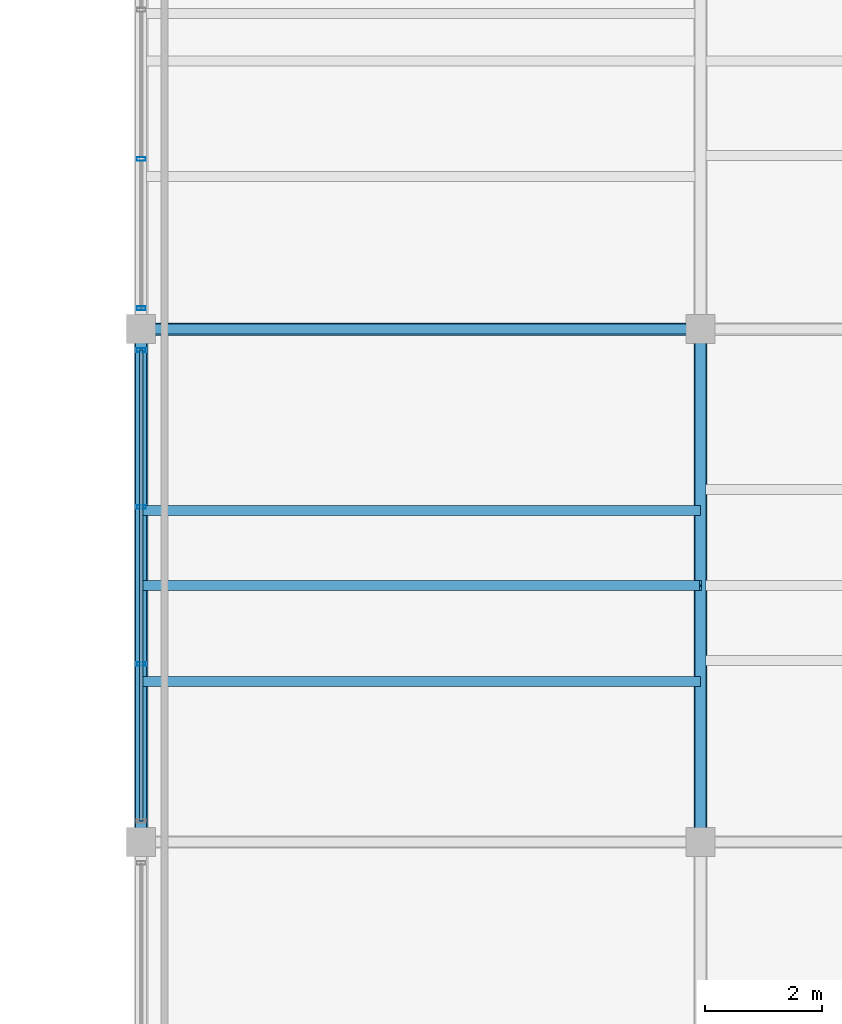
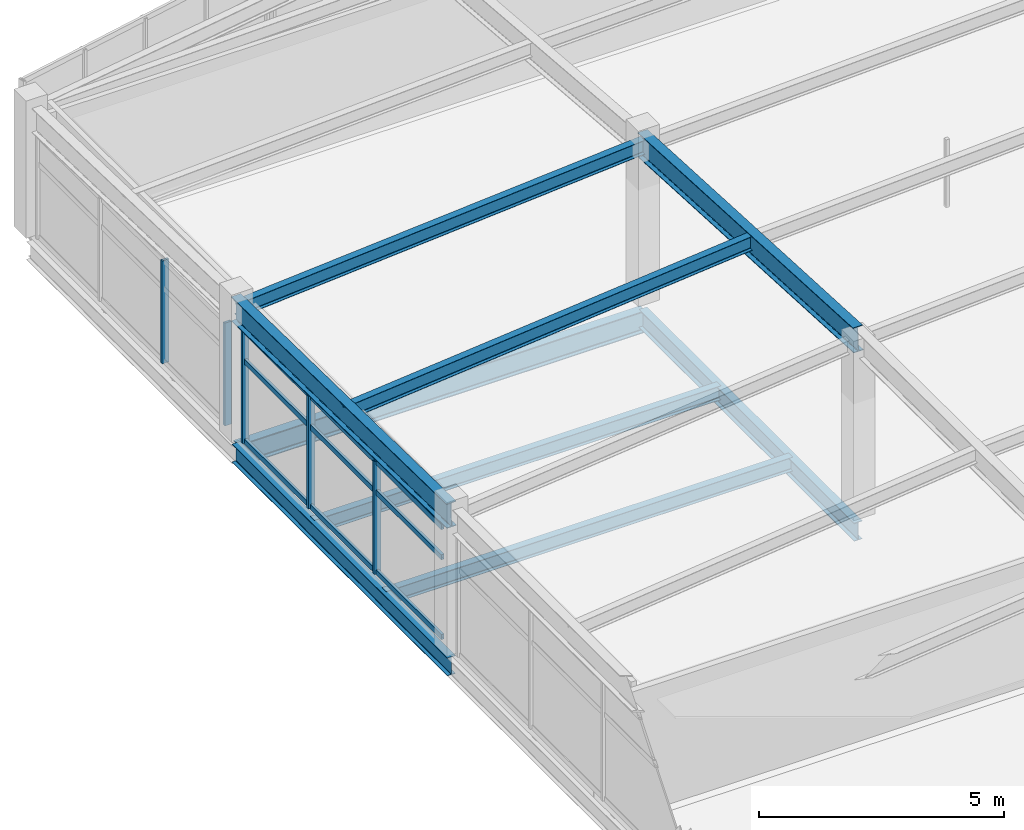
# One storey, part 36 of 65: 10 members, 7 beams, 2 elements without a shape of their own.
"""IFC4 building model written with IfcOpenShell, lengths in metres."""

from ifc_helpers import new_model, si_unit, direction, frame, origin, origin_2d, place, context, subcontext, project, spatial, hollow_rectangle, i_section, extrude, material, layer, layer_set, material_profile, profile_set, type_object, element, aggregate, save


model = new_model("IFC4")

# Units and contexts
model_context = context("Model", 3, precision=1e-05, world=origin(), true_north=direction((0.0, 1.0)))
body_context = subcontext(model_context, "Body", "Model", "MODEL_VIEW")
ifc_project = project(units=[si_unit("LENGTHUNIT", "METRE"), si_unit("AREAUNIT", "SQUARE_METRE"), si_unit("VOLUMEUNIT", "CUBIC_METRE"), si_unit("PLANEANGLEUNIT", "RADIAN"), si_unit("MASSUNIT", "GRAM", prefix="KILO")], contexts=[model_context])

# Site, building, storey
site_placement = place(None, origin())
site = spatial("IfcSite", under=ifc_project, at=site_placement, CompositionType="ELEMENT")
building_placement = place(site_placement, origin())
building = spatial("IfcBuilding", under=site, at=building_placement, Name="Chalmorin Arch Market", CompositionType="ELEMENT")
storey_placement = place(building_placement, frame((0.0, 0.0, 14.10009765625)))
storey = spatial("IfcBuildingStorey", under=building, at=storey_placement, Name="L03", CompositionType="ELEMENT", Elevation=14.10009765625)

# Curtain wall, members
ifc_material_1 = material(Name="Aluminium 6063-T6", Category="aluminium")
ifc_layer_1 = layer(ifc_material_1, 0.159912109375)
ifc_layer_set_1 = layer_set([ifc_layer_1], Name="Aluminium 6063-T6")
curtain_wall_type_1 = type_object("IfcCurtainWallType", Name="CulinaryStudioCurtainWall-CW3-8080x2820", PredefinedType="NOTDEFINED", material=ifc_layer_set_1)
curtain_wall_1_placement = place(storey_placement, origin())
curtain_wall_1 = element("IfcCurtainWall", 1, at=curtain_wall_1_placement, inside=storey, type_object=curtain_wall_type_1, Name="CW-03-117", PredefinedType="NOTDEFINED")
ifc_material_profile_1 = material_profile(ifc_material_1, hollow_rectangle(XDim=0.06494140625, YDim=0.159912109375, WallThickness=0.00390625, at=origin_2d()), Name="ALU65X160X4")
ifc_profile_set_1 = profile_set([ifc_material_profile_1], Name="Aluminium 6063-T6")
member_type_1 = type_object("IfcMemberType", Name="CurtainWallMullion-65x160", PredefinedType="MULLION", material=ifc_profile_set_1)
member_1_placement = place(storey_placement, frame((48.0, 103.853271484375, 0.0), z_axis=(0.0, 0.0, 1.0), x_axis=(0.0, 1.0, 0.0)))
member_1 = element("IfcMember", 2, at=member_1_placement, type_object=member_type_1, Name="ML-117-02", PredefinedType="MULLION", context=body_context, shape_type="SweptSolid", body=[
    extrude(hollow_rectangle(XDim=0.06494140625, YDim=0.159912109375, WallThickness=0.00390625, at=origin_2d()), origin(), (0.0, 0.0, 1.0), 2.81494140625),
])
member_2_placement = place(storey_placement, frame((48.0, 106.546630859375, 0.0), z_axis=(0.0, 0.0, 1.0), x_axis=(0.0, 1.0, 0.0)))
member_2 = element("IfcMember", 3, at=member_2_placement, type_object=member_type_1, Name="ML-117-03", PredefinedType="MULLION", context=body_context, shape_type="SweptSolid", body=[
    extrude(hollow_rectangle(XDim=0.06494140625, YDim=0.159912109375, WallThickness=0.00390625, at=origin_2d()), origin(), (0.0, 0.0, 1.0), 2.81494140625),
])
member_3_placement = place(storey_placement, frame((48.0, 109.239990234375, 0.0), z_axis=(0.0, 0.0, 1.0), x_axis=(0.0, 1.0, 0.0)))
member_3 = element("IfcMember", 4, at=member_3_placement, type_object=member_type_1, Name="ML-117-04", PredefinedType="MULLION", context=body_context, shape_type="SweptSolid", body=[
    extrude(hollow_rectangle(XDim=0.06494140625, YDim=0.159912109375, WallThickness=0.00390625, at=origin_2d()), origin(), (0.0, 0.0, 1.0), 2.81494140625),
])

ifc_layer_2 = layer(ifc_material_1, 0.159912109375)
ifc_layer_set_2 = layer_set([ifc_layer_2], Name="Aluminium 6063-T6")
curtain_wall_type_2 = type_object("IfcCurtainWallType", Name="CulinaryStudioCurtainWall-CW3-7680x2570", PredefinedType="NOTDEFINED", material=ifc_layer_set_2)
curtain_wall_2_placement = place(storey_placement, origin())
curtain_wall_2 = element("IfcCurtainWall", 5, at=curtain_wall_2_placement, inside=storey, type_object=curtain_wall_type_2, Name="CW-03-120", PredefinedType="NOTDEFINED")
member_4_placement = place(storey_placement, frame((48.0, 109.9599609375, 0.0), z_axis=(0.0, 0.0, 1.0), x_axis=(0.0, 1.0, 0.0)))
member_4 = element("IfcMember", 6, at=member_4_placement, type_object=member_type_1, Name="ML-120-01", PredefinedType="MULLION", context=body_context, shape_type="SweptSolid", body=[
    extrude(hollow_rectangle(XDim=0.06494140625, YDim=0.159912109375, WallThickness=0.00390625, at=origin_2d()), origin(), (0.0, 0.0, 1.0), 2.56591796875),
])
member_5_placement = place(storey_placement, frame((48.0, 112.52001953125, 0.0), z_axis=(0.0, 0.0, 1.0), x_axis=(0.0, 1.0, 0.0)))
member_5 = element("IfcMember", 7, at=member_5_placement, type_object=member_type_1, Name="ML-120-02", PredefinedType="MULLION", context=body_context, shape_type="SweptSolid", body=[
    extrude(hollow_rectangle(XDim=0.06494140625, YDim=0.159912109375, WallThickness=0.00390625, at=origin_2d()), origin(), (0.0, 0.0, 1.0), 2.56591796875),
])
aggregate(curtain_wall_2, [member_4, member_5])

# Member
ifc_material_profile_2 = material_profile(ifc_material_1, hollow_rectangle(XDim=0.06494140625, YDim=0.1298828125, WallThickness=0.00390625, at=origin_2d()), Name="ALU65X130X4")
ifc_profile_set_2 = profile_set([ifc_material_profile_2], Name="Aluminium 6063-T6")
member_type_2 = type_object("IfcMemberType", Name="CurtainWallTransom-65x130", PredefinedType="USERDEFINED", material=ifc_profile_set_2)
member_6_placement = place(storey_placement, frame((48.0, 101.159912109375, 0.034912109375), z_axis=(0.0, 1.0, 0.0), x_axis=(-1.0, 0.0, 0.0)))
member_6 = element("IfcMember", 8, at=member_6_placement, type_object=member_type_2, Name="TR-117-01", ObjectType="TRANSOM", PredefinedType="USERDEFINED", context=body_context, shape_type="SweptSolid", body=[
    extrude(hollow_rectangle(XDim=0.06494140625, YDim=0.1298828125, WallThickness=0.00390625, at=origin_2d()), origin(), (0.0, 0.0, 1.0), 8.080078125),
])

member_7_placement = place(storey_placement, frame((48.0, 101.159912109375, 2.026611328125), z_axis=(0.0, 1.0, 0.0), x_axis=(-1.0, 0.0, 0.0)))
member_7 = element("IfcMember", 9, at=member_7_placement, type_object=member_type_2, Name="TR-117-02", ObjectType="TRANSOM", PredefinedType="USERDEFINED", context=body_context, shape_type="SweptSolid", body=[
    extrude(hollow_rectangle(XDim=0.06494140625, YDim=0.1298828125, WallThickness=0.00390625, at=origin_2d()), origin(), (0.0, 0.0, 1.0), 8.080078125),
])

member_8_placement = place(storey_placement, frame((48.0, 101.159912109375, 2.77978515625), z_axis=(0.0, 1.0, 0.0), x_axis=(-1.0, 0.0, 0.0)))
member_8 = element("IfcMember", 10, at=member_8_placement, type_object=member_type_2, Name="TR-117-03", ObjectType="TRANSOM", PredefinedType="USERDEFINED", context=body_context, shape_type="SweptSolid", body=[
    extrude(hollow_rectangle(XDim=0.06494140625, YDim=0.1298828125, WallThickness=0.00390625, at=origin_2d()), origin(), (0.0, 0.0, 1.0), 8.080078125),
])

aggregate(curtain_wall_1, [member_1, member_2, member_3, member_6, member_7, member_8])

# Beams
ifc_material_2 = material(Name="Steel A992 Grade 50", Category="steel")
ifc_material_profile_3 = material_profile(ifc_material_2, i_section(OverallWidth=0.19091796875, OverallDepth=0.45703125, WebThickness=0.009033203125, FlangeThickness=0.014404296875, FilletRadius=0.02001953125, at=origin_2d()), Name="W18X50")
ifc_profile_set_3 = profile_set([ifc_material_profile_3], Name="Steel A992 Grade 50")
beam_type_1 = type_object("IfcBeamType", Name="FloorSteelBeam-W18X50", PredefinedType="BEAM", material=ifc_profile_set_3)
beam_1_placement = place(storey_placement, frame((57.60009765625, 100.800048828125, -0.470703125), z_axis=(0.0, 1.0, 0.0), x_axis=(-1.0, 0.0, 0.0)))
element("IfcBeam", 11, at=beam_1_placement, inside=storey, type_object=beam_type_1, Name="BM-W18B-1389", PredefinedType="BEAM", context=body_context, shape_type="SweptSolid", body=[
    extrude(i_section(OverallWidth=0.19091796875, OverallDepth=0.45703125, WebThickness=0.009033203125, FlangeThickness=0.014404296875, FilletRadius=0.02001953125, at=origin_2d()), origin(), (0.0, 0.0, 1.0), 8.800048828125),
])
ifc_material_profile_4 = material_profile(ifc_material_2, i_section(OverallWidth=0.19091796875, OverallDepth=0.45703125, WebThickness=0.009033203125, FlangeThickness=0.014404296875, FilletRadius=0.02001953125, at=origin_2d()), Name="W18X50")
ifc_profile_set_4 = profile_set([ifc_material_profile_4], Name="Steel A992 Grade 50")
beam_type_2 = type_object("IfcBeamType", Name="PerimeterSpandrelBeam-W18X50", PredefinedType="SPANDREL", material=ifc_profile_set_4)
beam_2_placement = place(storey_placement, frame((48.0, 100.800048828125, -0.470703125), z_axis=(0.0, 1.0, 0.0), x_axis=(-1.0, 0.0, 0.0)))
element("IfcBeam", 12, at=beam_2_placement, inside=storey, type_object=beam_type_2, Name="SP-W18-1388", PredefinedType="SPANDREL", context=body_context, shape_type="SweptSolid", body=[
    extrude(i_section(OverallWidth=0.19091796875, OverallDepth=0.45703125, WebThickness=0.009033203125, FlangeThickness=0.014404296875, FilletRadius=0.02001953125, at=origin_2d()), origin(), (0.0, 0.0, 1.0), 8.800048828125),
])
ifc_material_profile_5 = material_profile(ifc_material_2, i_section(OverallWidth=0.2119140625, OverallDepth=0.5439453125, WebThickness=0.01318359375, FlangeThickness=0.021240234375, FilletRadius=0.02197265625, at=origin_2d()), Name="W21X83")
ifc_profile_set_5 = profile_set([ifc_material_profile_5], Name="Steel A992 Grade 50")
beam_type_3 = type_object("IfcBeamType", Name="PrimarySteelGirder-W21X83", PredefinedType="BEAM", material=ifc_profile_set_5)
beam_3_placement = place(storey_placement, frame((48.0, 109.60009765625, -0.51416015625), z_axis=(1.0, 0.0, 0.0), x_axis=(0.0, 1.0, 0.0)))
element("IfcBeam", 13, at=beam_3_placement, inside=storey, type_object=beam_type_3, Name="BG-W21A-1387", PredefinedType="BEAM", context=body_context, shape_type="SweptSolid", body=[
    extrude(i_section(OverallWidth=0.2119140625, OverallDepth=0.5439453125, WebThickness=0.01318359375, FlangeThickness=0.021240234375, FilletRadius=0.02197265625, at=origin_2d()), origin(), (0.0, 0.0, 1.0), 9.60009765625),
])
ifc_material_profile_6 = material_profile(ifc_material_2, i_section(OverallWidth=0.22802734375, OverallDepth=0.60791015625, WebThickness=0.01123046875, FlangeThickness=0.017333984375, FilletRadius=0.02392578125, at=origin_2d()), Name="W24X76")
ifc_profile_set_6 = profile_set([ifc_material_profile_6], Name="Steel A992 Grade 50")
beam_type_4 = type_object("IfcBeamType", Name="PrimarySteelGirder-W24X76", PredefinedType="BEAM", material=ifc_profile_set_6)
beam_4_placement = place(storey_placement, frame((48.0, 100.800048828125, 3.296875), z_axis=(0.0, 0.999828319481, -0.018529208418), x_axis=(-1.0, 0.0, 0.0)))
element("IfcBeam", 14, at=beam_4_placement, inside=storey, type_object=beam_type_4, Name="BG-W24B-1548", PredefinedType="BEAM", context=body_context, shape_type="SweptSolid", body=[
    extrude(i_section(OverallWidth=0.22802734375, OverallDepth=0.60791015625, WebThickness=0.01123046875, FlangeThickness=0.017333984375, FilletRadius=0.02392578125, at=origin_2d()), origin(), (0.0, 0.0, 1.0), 8.801513671875),
])
beam_5_placement = place(storey_placement, frame((57.60009765625, 100.800048828125, 4.31982421875), z_axis=(0.0, 0.998654095745, -0.051865181502), x_axis=(-1.0, 0.0, 0.0)))
element("IfcBeam", 15, at=beam_5_placement, inside=storey, type_object=beam_type_4, Name="BG-W24B-1553", PredefinedType="BEAM", context=body_context, shape_type="SweptSolid", body=[
    extrude(i_section(OverallWidth=0.22802734375, OverallDepth=0.60791015625, WebThickness=0.01123046875, FlangeThickness=0.017333984375, FilletRadius=0.02392578125, at=origin_2d()), origin(), (0.0, 0.0, 1.0), 8.81201171875),
])

# Members
ifc_material_profile_7 = material_profile(ifc_material_2, i_section(OverallWidth=0.1708984375, OverallDepth=0.35107421875, WebThickness=0.0068359375, FlangeThickness=0.009765625, FilletRadius=0.014892578125, at=origin_2d()), Name="W14X30")
ifc_profile_set_7 = profile_set([ifc_material_profile_7], Name="Steel A992 Grade 50")
member_type_3 = type_object("IfcMemberType", Name="RoofSteelPurlin-W14X30", PredefinedType="PURLIN", material=ifc_profile_set_7)
member_9_placement = place(storey_placement, frame((48.0, 105.199951171875, 3.19091796875), z_axis=(0.995595168062, 0.0, 0.093756393554), x_axis=(0.0, 1.0, 0.0)))
element("IfcMember", 16, at=member_9_placement, inside=storey, type_object=member_type_3, Name="PR-W14-0098", PredefinedType="PURLIN", context=body_context, shape_type="SweptSolid", body=[
    extrude(i_section(OverallWidth=0.1708984375, OverallDepth=0.35107421875, WebThickness=0.0068359375, FlangeThickness=0.009765625, FilletRadius=0.014892578125, at=origin_2d()), origin(), (0.0, 0.0, 1.0), 9.642578125),
])
member_10_placement = place(storey_placement, frame((48.0, 109.60009765625, 3.093994140625), z_axis=(0.99712918566, 0.0, 0.075719133014), x_axis=(0.0, 1.0, 0.0)))
element("IfcMember", 17, at=member_10_placement, inside=storey, type_object=member_type_3, Name="PR-W14-0105", PredefinedType="PURLIN", context=body_context, shape_type="SweptSolid", body=[
    extrude(i_section(OverallWidth=0.1708984375, OverallDepth=0.35107421875, WebThickness=0.0068359375, FlangeThickness=0.009765625, FilletRadius=0.014892578125, at=origin_2d()), origin(), (0.0, 0.0, 1.0), 9.627685546875),
])

# Beams
ifc_material_profile_8 = material_profile(ifc_material_2, i_section(OverallWidth=0.1708984375, OverallDepth=0.35107421875, WebThickness=0.0068359375, FlangeThickness=0.009765625, FilletRadius=0.014892578125, at=origin_2d()), Name="W14X30")
ifc_profile_set_8 = profile_set([ifc_material_profile_8], Name="Steel A992 Grade 50")
beam_type_5 = type_object("IfcBeamType", Name="SecondaryFloorJoist-W14X30", PredefinedType="JOIST", material=ifc_profile_set_8)
for number, where, z_axis, x_axis, name in (
    (18, (48.0, 103.55322265625, -0.41748046875), (1.0, 0.0, 0.0), (0.0, 1.0, 0.0), "BJ-W14-1441"),
    (19, (48.0, 106.48681640625, -0.41748046875), (1.0, 0.0, 0.0), (0.0, 1.0, 0.0), "BJ-W14-1442"),
):
    element("IfcBeam", number, at=place(storey_placement, frame(where, z_axis=z_axis, x_axis=x_axis)), inside=storey, type_object=beam_type_5, Name=name, PredefinedType="JOIST", context=body_context, shape_type="SweptSolid", body=[
        extrude(i_section(OverallWidth=0.1708984375, OverallDepth=0.35107421875, WebThickness=0.0068359375, FlangeThickness=0.009765625, FilletRadius=0.014892578125, at=origin_2d()), origin(), (0.0, 0.0, 1.0), 9.60009765625),
    ])

save(model, "model.ifc")
